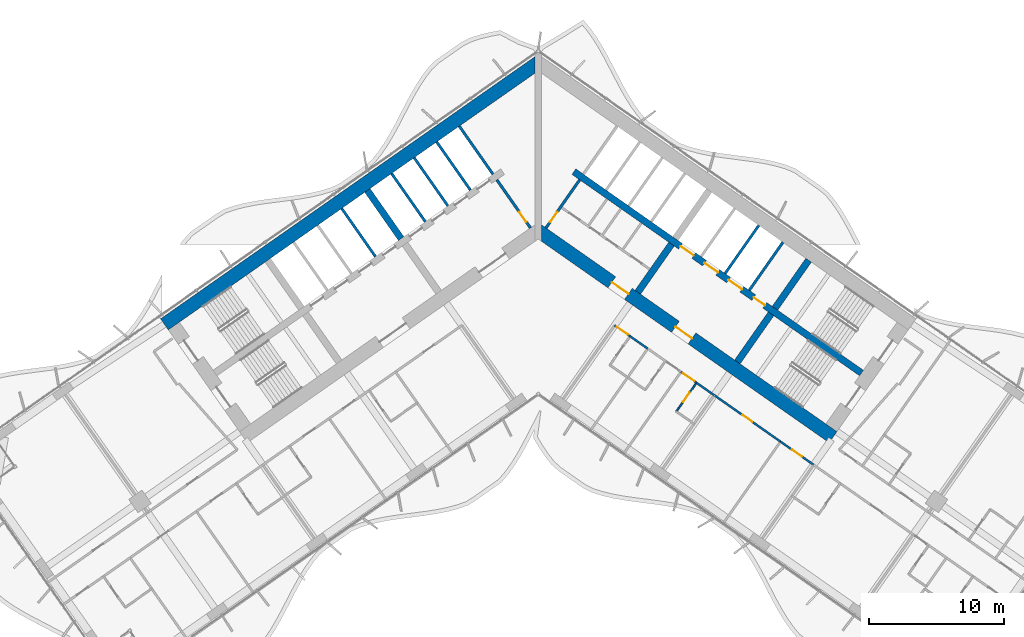
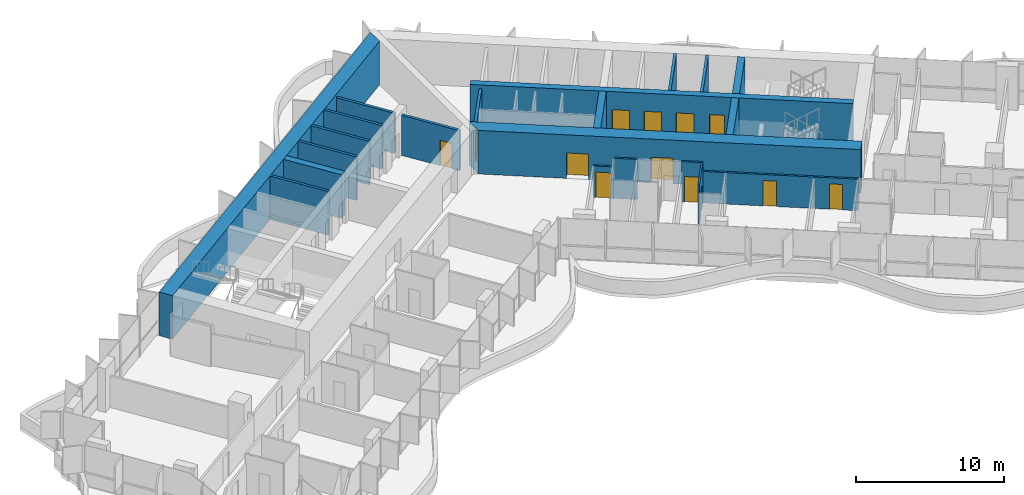
# One storey, part 14 of 23: 23 walls, 13 doors, 13 openings.
"""IFC4 building model written with IfcOpenShell, lengths in metres."""

from ifc_helpers import new_model, si_unit, direction, frame, frame_2d, origin, place, context, subcontext, project, spatial, polyline, rectangle, outline, extrude, material, layer, layer_set, type_object, element, fill, save


model = new_model("IFC4")

# Units and contexts
model_context = context("Model", 3, precision=1e-05, world=origin(), true_north=direction((0.0, 1.0)))
body_context = subcontext(model_context, "Body", "Model", "MODEL_VIEW")
ifc_project = project(units=[si_unit("LENGTHUNIT", "METRE"), si_unit("AREAUNIT", "SQUARE_METRE"), si_unit("VOLUMEUNIT", "CUBIC_METRE"), si_unit("PLANEANGLEUNIT", "RADIAN"), si_unit("MASSUNIT", "GRAM", prefix="KILO")], contexts=[model_context])

# Site, building, storey
site_placement = place(None, origin())
site = spatial("IfcSite", under=ifc_project, at=site_placement, CompositionType="ELEMENT")
building_placement = place(site_placement, origin())
building = spatial("IfcBuilding", under=site, at=building_placement, Name="Tel Ilan Convention Tower", CompositionType="ELEMENT")
storey_placement = place(building_placement, frame((0.0, 0.0, 119.300048828125)))
storey = spatial("IfcBuildingStorey", under=building, at=storey_placement, Name="L26", CompositionType="ELEMENT", Elevation=119.300048828125)

# Wall, opening, door
ifc_material_1 = material(Name="Concrete C30/37", Category="concrete")
ifc_layer_1 = layer(ifc_material_1, 0.199951171875)
ifc_layer_set_1 = layer_set([ifc_layer_1], Name="Core Service Room Wall 200 mm C30/37")
wall_type_1 = type_object("IfcWallType", Name="Core Service Room Wall 200 mm C30/37", PredefinedType="SOLIDWALL", material=ifc_layer_set_1)
wall_1_placement = place(storey_placement, frame((-0.573486328125, -0.401611328125, 0.0), z_axis=(0.0, 0.0, 1.0), x_axis=(-0.57356780395, 0.819158088694, 0.0)))
wall_1 = element("IfcWall", 1, at=wall_1_placement, inside=storey, type_object=wall_type_1, Name="L26 core wall apex-W", PredefinedType="SOLIDWALL", context=body_context, shape_type="SweptSolid", body=[
    extrude(rectangle(XDim=4.35009765625, YDim=0.199951171875, at=frame_2d((2.175048828125, 0.0))), origin(), (0.0, 0.0, 1.0), 3.320068359375),
])
opening_1_placement = place(wall_1_placement, frame((0.550048828125, 0.0, 0.0)))
opening_1 = element("IfcOpeningElement", 2, at=opening_1_placement, cuts=wall_1, Name="Opening CD2002", PredefinedType="OPENING", context=body_context, shape_type="SweptSolid", body=[
    extrude(rectangle(XDim=0.89990234375, YDim=2.10009765625, at=frame_2d((0.449951171875, 1.050048828125))), frame((0.0, 0.10986328125, 0.0), z_axis=(0.0, -1.0, 0.0), x_axis=(1.0, 0.0, 0.0)), (0.0, 0.0, 1.0), 0.219970703125),
])
ifc_material_2 = material(Name="Galvanised Steel Door Leaf", Category="steel")
door_type_1 = type_object("IfcDoorType", Name="Service Room Door 900 x 2100 FD60", OperationType="NOTDEFINED", PredefinedType="DOOR", material=ifc_material_2)
door_1_placement = place(opening_1_placement, origin())
door_1 = element("IfcDoor", 3, at=door_1_placement, inside=storey, type_object=door_type_1, Name="Riser Room door", OperationType="SINGLE_SWING_RIGHT", OverallHeight=2.10009765625, OverallWidth=0.89990234375, PredefinedType="DOOR", context=body_context, shape_type="SweptSolid", body=[
    extrude(rectangle(XDim=0.89990234375, YDim=2.10009765625, at=frame_2d((0.449951171875, 1.050048828125))), frame((0.0, 0.02490234375, 0.0), z_axis=(0.0, -1.0, 0.0), x_axis=(1.0, 0.0, 0.0)), (0.0, 0.0, 1.0), 0.050048828125),
])
fill(opening_1, door_1)

# Wall
wall_2_placement = place(storey_placement, frame((-3.355224609375, 3.5712890625, 0.0), z_axis=(0.0, 0.0, 1.0), x_axis=(-0.57356780395, 0.819158088694, 0.0)))
element("IfcWall", 4, at=wall_2_placement, inside=storey, type_object=wall_type_1, Name="L26 core wall apex-W-b", PredefinedType="SOLIDWALL", context=body_context, shape_type="SweptSolid", body=[
    extrude(rectangle(XDim=4.35009765625, YDim=0.199951171875, at=frame_2d((2.175048828125, 0.0))), origin(), (0.0, 0.0, 1.0), 3.320068359375),
])

# Wall, opening, door
wall_3_placement = place(storey_placement, frame((0.573486328125, -0.401611328125, 0.0), z_axis=(0.0, 0.0, 1.0), x_axis=(0.57356780395, 0.819158088694, 0.0)))
wall_3 = element("IfcWall", 5, at=wall_3_placement, inside=storey, type_object=wall_type_1, Name="L26 core wall apex-E", PredefinedType="SOLIDWALL", context=body_context, shape_type="SweptSolid", body=[
    extrude(rectangle(XDim=4.35009765625, YDim=0.199951171875, at=frame_2d((2.175048828125, 0.0))), origin(), (0.0, 0.0, 1.0), 3.320068359375),
])
opening_2_placement = place(wall_3_placement, frame((0.550048828125, 0.0, 0.0)))
opening_2 = element("IfcOpeningElement", 6, at=opening_2_placement, cuts=wall_3, Name="Opening CD2001", PredefinedType="OPENING", context=body_context, shape_type="SweptSolid", body=[
    extrude(rectangle(XDim=0.89990234375, YDim=2.10009765625, at=frame_2d((0.449951171875, 1.050048828125))), frame((0.0, 0.10986328125, 0.0), z_axis=(0.0, -1.0, 0.0), x_axis=(1.0, 0.0, 0.0)), (0.0, 0.0, 1.0), 0.219970703125),
])
door_2_placement = place(opening_2_placement, origin())
door_2 = element("IfcDoor", 7, at=door_2_placement, inside=storey, type_object=door_type_1, Name="Electrical Room door", OperationType="SINGLE_SWING_RIGHT", OverallHeight=2.10009765625, OverallWidth=0.89990234375, PredefinedType="DOOR", context=body_context, shape_type="SweptSolid", body=[
    extrude(rectangle(XDim=0.89990234375, YDim=2.10009765625, at=frame_2d((0.449951171875, 1.050048828125))), frame((0.0, 0.02490234375, 0.0), z_axis=(0.0, -1.0, 0.0), x_axis=(1.0, 0.0, 0.0)), (0.0, 0.0, 1.0), 0.050048828125),
])
fill(opening_2, door_2)

# Wall
ifc_material_3 = material(Name="Concrete C60/75", Category="concrete")
ifc_layer_2 = layer(ifc_material_3, 1.0)
ifc_layer_set_2 = layer_set([ifc_layer_2], Name="Core Shear Wall 1000 mm C60/75")
wall_type_2 = type_object("IfcWallType", Name="Core Shear Wall 1000 mm C60/75", PredefinedType="SHEAR", material=ifc_layer_set_2)
wall_4_placement = place(storey_placement, frame((0.036865234375, 11.8671875, 0.0), z_axis=(0.0, 0.0, 1.0), x_axis=(-0.819155306259, -0.573571777746, 0.0)))
element("IfcWall", 8, at=wall_4_placement, inside=storey, type_object=wall_type_2, Name="L26 core wall W-back", PredefinedType="SHEAR", context=body_context, shape_type="SweptSolid", body=[
    extrude(outline(polyline([(33.8369140625, 0.5), (0.7001953125, 0.499755859375), (0.0, -0.5), (33.8369140625, -0.5), (33.8369140625, 0.5)])), origin(), (0.0, 0.0, 1.0), 3.599853515625),
])

# Wall, openings, doors
wall_5_placement = place(storey_placement, frame((-0.036865234375, -0.584716796875, 0.0), z_axis=(0.0, 0.0, 1.0), x_axis=(0.819157152511, -0.573569140985, 0.0)))
wall_5 = element("IfcWall", 9, at=wall_5_placement, inside=storey, type_object=wall_type_2, Name="L26 core wall E-front", PredefinedType="SHEAR", context=body_context, shape_type="SweptSolid", body=[
    extrude(outline(polyline([(26.69482421875, 0.499755859375), (0.0, 0.5), (0.7001953125, -0.499755859375), (26.69482421875, -0.500244140625), (26.69482421875, 0.499755859375)])), origin(), (0.0, 0.0, 1.0), 3.599853515625),
])
opening_3_placement = place(wall_5_placement, frame((6.69482421875, 0.0, 0.0)))
opening_3 = element("IfcOpeningElement", 10, at=opening_3_placement, cuts=wall_5, Name="Opening CD2003", PredefinedType="OPENING", context=body_context, shape_type="SweptSolid", body=[
    extrude(rectangle(XDim=1.5, YDim=2.10009765625, at=frame_2d((0.75, 1.050048828125))), frame((0.0, 0.510009765625, 0.0), z_axis=(0.0, -1.0, 0.0), x_axis=(1.0, 0.0, 0.0)), (0.0, 0.0, 1.0), 1.02001953125),
])
opening_4_placement = place(wall_5_placement, frame((12.44482421875, 0.0, 0.0)))
opening_4 = element("IfcOpeningElement", 11, at=opening_4_placement, cuts=wall_5, Name="Opening CD2004", PredefinedType="OPENING", context=body_context, shape_type="SweptSolid", body=[
    extrude(rectangle(XDim=1.5, YDim=2.10009765625, at=frame_2d((0.75, 1.050048828125))), frame((0.0, 0.510009765625, 0.0), z_axis=(0.0, -1.0, 0.0), x_axis=(1.0, 0.0, 0.0)), (0.0, 0.0, 1.0), 1.02001953125),
])
ifc_material_4 = material(Name="Glazed Aluminium Door Leaf", Category="aluminium")
door_type_2 = type_object("IfcDoorType", Name="Lobby Opening Door 1500 x 2100 FD60S", OperationType="NOTDEFINED", PredefinedType="DOOR", material=ifc_material_4)
door_3_placement = place(opening_4_placement, origin())
door_3 = element("IfcDoor", 12, at=door_3_placement, inside=storey, type_object=door_type_2, Name="Firefighting Lobby door", OperationType="DOUBLE_DOOR_SINGLE_SWING", OverallHeight=2.10009765625, OverallWidth=1.5, PredefinedType="DOOR", context=body_context, shape_type="SweptSolid", body=[
    extrude(rectangle(XDim=1.5, YDim=2.10009765625, at=frame_2d((0.75, 1.050048828125))), frame((0.0, 0.02490234375, 0.0), z_axis=(0.0, -1.0, 0.0), x_axis=(1.0, 0.0, 0.0)), (0.0, 0.0, 1.0), 0.050048828125),
])
fill(opening_4, door_3)
ifc_material_5 = material(Name="Laminated Timber Door Leaf", Category="wood")
door_type_3 = type_object("IfcDoorType", Name="Toilet Door 1500 x 2100 FD30S", OperationType="NOTDEFINED", PredefinedType="DOOR", material=ifc_material_5)
door_4_placement = place(opening_3_placement, origin())
door_4 = element("IfcDoor", 13, at=door_4_placement, inside=storey, type_object=door_type_3, Name="WC Lobby door", OperationType="SINGLE_SWING_RIGHT", OverallHeight=2.10009765625, OverallWidth=1.5, PredefinedType="DOOR", context=body_context, shape_type="SweptSolid", body=[
    extrude(rectangle(XDim=1.5, YDim=2.10009765625, at=frame_2d((0.75, 1.050048828125))), frame((0.0, 0.02490234375, 0.0), z_axis=(0.0, -1.0, 0.0), x_axis=(1.0, 0.0, 0.0)), (0.0, 0.0, 1.0), 0.050048828125),
])
fill(opening_3, door_4)

# Walls
ifc_material_6 = material(Name="Concrete C60/75", Category="concrete")
ifc_layer_3 = layer(ifc_material_6, 0.5)
ifc_layer_set_3 = layer_set([ifc_layer_3], Name="Core Shear Wall 500 mm C60/75")
wall_type_3 = type_object("IfcWallType", Name="Core Shear Wall 500 mm C60/75", PredefinedType="SHEAR", material=ifc_layer_set_3)
wall_6_placement = place(storey_placement, frame((-10.154296875, -1.189208984375, 0.0), z_axis=(0.0, 0.0, 1.0), x_axis=(-0.573594173421, 0.819139624372, 0.0)))
element("IfcWall", 14, at=wall_6_placement, inside=storey, type_object=wall_type_3, Name="L26 core wall W-cross1-2", PredefinedType="SHEAR", context=body_context, shape_type="SweptSolid", body=[
    extrude(outline(polyline([(4.349853515625, -0.25), (4.349853515625, 0.25), (-0.000244140625, 0.25), (-0.000244140625, -0.25), (4.349853515625, -0.25)])), origin(), (0.0, 0.0, 1.0), 3.599853515625),
])
wall_7_placement = place(storey_placement, frame((7.372314453125, -5.162109375, 0.0), z_axis=(0.0, 0.0, 1.0), x_axis=(0.573594173421, 0.819139624372, 0.0)))
element("IfcWall", 15, at=wall_7_placement, inside=storey, type_object=wall_type_3, Name="L26 core wall E-cross1-1", PredefinedType="SHEAR", context=body_context, shape_type="SweptSolid", body=[
    extrude(outline(polyline([(0.0, 0.25), (0.0, -0.250244140625), (4.349853515625, -0.25), (4.349853515625, 0.25), (0.0, 0.25)])), origin(), (0.0, 0.0, 1.0), 3.599853515625),
])
wall_8_placement = place(storey_placement, frame((14.74462890625, -10.324462890625, 0.0), z_axis=(0.0, 0.0, 1.0), x_axis=(0.57356780395, 0.819158088694, 0.0)))
element("IfcWall", 16, at=wall_8_placement, inside=storey, type_object=wall_type_3, Name="L26 core wall E-cross2-1", PredefinedType="SHEAR", context=body_context, shape_type="SweptSolid", body=[
    extrude(outline(polyline([(0.0, 0.25), (0.0, -0.25), (4.35009765625, -0.250244140625), (4.35009765625, 0.25), (0.0, 0.25)])), origin(), (0.0, 0.0, 1.0), 3.599853515625),
])
wall_9_placement = place(storey_placement, frame((17.526611328125, -6.3515625, 0.0), z_axis=(0.0, 0.0, 1.0), x_axis=(0.573530143085, 0.819184457233, 0.0)))
element("IfcWall", 17, at=wall_9_placement, inside=storey, type_object=wall_type_3, Name="L26 core wall E-cross2-2", PredefinedType="SHEAR", context=body_context, shape_type="SweptSolid", body=[
    extrude(outline(polyline([(4.35009765625, -0.250244140625), (4.35009765625, 0.249755859375), (0.0, 0.25), (0.0, -0.25), (4.35009765625, -0.250244140625)])), origin(), (0.0, 0.0, 1.0), 3.599853515625),
])

# Wall, openings, doors
wall_10_placement = place(storey_placement, frame((2.638427734375, 3.76806640625, 0.0), z_axis=(0.0, 0.0, 1.0), x_axis=(0.819148977158, -0.573580816643, 0.0)))
wall_10 = element("IfcWall", 18, at=wall_10_placement, inside=storey, type_object=wall_type_3, Name="L26 core wall E-spine", PredefinedType="SHEAR", context=body_context, shape_type="SweptSolid", body=[
    extrude(outline(polyline([(0.0, 0.25), (0.0, -0.25), (26.0, -0.249755859375), (26.0, 0.250244140625), (0.0, 0.25)])), origin(), (0.0, 0.0, 1.0), 3.599853515625),
])
opening_5_placement = place(wall_10_placement, frame((9.637451171875, 0.0, 0.0)))
opening_5 = element("IfcOpeningElement", 19, at=opening_5_placement, cuts=wall_10, Name="Opening LD2001", PredefinedType="OPENING", context=body_context, shape_type="SweptSolid", body=[
    extrude(rectangle(XDim=1.199951171875, YDim=2.10009765625, at=frame_2d((0.60009765625, 1.050048828125))), frame((0.0, 0.260009765625, 0.0), z_axis=(0.0, -1.0, 0.0), x_axis=(1.0, 0.0, 0.0)), (0.0, 0.0, 1.0), 0.52001953125),
])
opening_6_placement = place(wall_10_placement, frame((11.8125, 0.0, 0.0)))
opening_6 = element("IfcOpeningElement", 20, at=opening_6_placement, cuts=wall_10, Name="Opening LD2002", PredefinedType="OPENING", context=body_context, shape_type="SweptSolid", body=[
    extrude(rectangle(XDim=1.199951171875, YDim=2.10009765625, at=frame_2d((0.60009765625, 1.050048828125))), frame((0.0, 0.260009765625, 0.0), z_axis=(0.0, -1.0, 0.0), x_axis=(1.0, 0.0, 0.0)), (0.0, 0.0, 1.0), 0.52001953125),
])
opening_7_placement = place(wall_10_placement, frame((13.987548828125, 0.0, 0.0)))
opening_7 = element("IfcOpeningElement", 21, at=opening_7_placement, cuts=wall_10, Name="Opening LD2003", PredefinedType="OPENING", context=body_context, shape_type="SweptSolid", body=[
    extrude(rectangle(XDim=1.199951171875, YDim=2.10009765625, at=frame_2d((0.60009765625, 1.050048828125))), frame((0.0, 0.260009765625, 0.0), z_axis=(0.0, -1.0, 0.0), x_axis=(1.0, 0.0, 0.0)), (0.0, 0.0, 1.0), 0.52001953125),
])
opening_8_placement = place(wall_10_placement, frame((16.262451171875, 0.0, 0.0)))
opening_8 = element("IfcOpeningElement", 22, at=opening_8_placement, cuts=wall_10, Name="Opening CD2007", PredefinedType="OPENING", context=body_context, shape_type="SweptSolid", body=[
    extrude(rectangle(XDim=1.0, YDim=2.10009765625, at=frame_2d((0.5, 1.050048828125))), frame((0.0, 0.260009765625, 0.0), z_axis=(0.0, -1.0, 0.0), x_axis=(1.0, 0.0, 0.0)), (0.0, 0.0, 1.0), 0.52001953125),
])
ifc_material_7 = material(Name="Stainless Steel Sliding Door Leaf", Category="steel")
door_type_4 = type_object("IfcDoorType", Name="Lift Landing Door 1200 x 2100 FD120", OperationType="NOTDEFINED", PredefinedType="DOOR", material=ifc_material_7)
door_5_placement = place(opening_5_placement, origin())
door_5 = element("IfcDoor", 23, at=door_5_placement, inside=storey, type_object=door_type_4, Name="Lift FL1 landing door", OperationType="SLIDING_TO_LEFT", OverallHeight=2.10009765625, OverallWidth=1.199951171875, PredefinedType="DOOR", context=body_context, shape_type="SweptSolid", body=[
    extrude(rectangle(XDim=1.199951171875, YDim=2.10009765625, at=frame_2d((0.60009765625, 1.050048828125))), frame((0.0, 0.02490234375, 0.0), z_axis=(0.0, -1.0, 0.0), x_axis=(1.0, 0.0, 0.0)), (0.0, 0.0, 1.0), 0.050048828125),
])
fill(opening_5, door_5)
door_6_placement = place(opening_6_placement, origin())
door_6 = element("IfcDoor", 24, at=door_6_placement, inside=storey, type_object=door_type_4, Name="Lift FL2 landing door", OperationType="SLIDING_TO_RIGHT", OverallHeight=2.10009765625, OverallWidth=1.199951171875, PredefinedType="DOOR", context=body_context, shape_type="SweptSolid", body=[
    extrude(rectangle(XDim=1.199951171875, YDim=2.10009765625, at=frame_2d((0.60009765625, 1.050048828125))), frame((0.0, 0.02490234375, 0.0), z_axis=(0.0, -1.0, 0.0), x_axis=(1.0, 0.0, 0.0)), (0.0, 0.0, 1.0), 0.050048828125),
])
fill(opening_6, door_6)
door_7_placement = place(opening_7_placement, origin())
door_7 = element("IfcDoor", 25, at=door_7_placement, inside=storey, type_object=door_type_4, Name="Lift FL3 landing door", OperationType="SLIDING_TO_LEFT", OverallHeight=2.10009765625, OverallWidth=1.199951171875, PredefinedType="DOOR", context=body_context, shape_type="SweptSolid", body=[
    extrude(rectangle(XDim=1.199951171875, YDim=2.10009765625, at=frame_2d((0.60009765625, 1.050048828125))), frame((0.0, 0.02490234375, 0.0), z_axis=(0.0, -1.0, 0.0), x_axis=(1.0, 0.0, 0.0)), (0.0, 0.0, 1.0), 0.050048828125),
])
fill(opening_7, door_7)
ifc_material_8 = material(Name="Galvanised Steel Door Leaf", Category="steel")
door_type_5 = type_object("IfcDoorType", Name="Service Room Door 1000 x 2100 FD60", OperationType="NOTDEFINED", PredefinedType="DOOR", material=ifc_material_8)
door_8_placement = place(opening_8_placement, origin())
door_8 = element("IfcDoor", 26, at=door_8_placement, inside=storey, type_object=door_type_5, Name="Plant Room door", OperationType="SINGLE_SWING_RIGHT", OverallHeight=2.10009765625, OverallWidth=1.0, PredefinedType="DOOR", context=body_context, shape_type="SweptSolid", body=[
    extrude(rectangle(XDim=1.0, YDim=2.10009765625, at=frame_2d((0.5, 1.050048828125))), frame((0.0, 0.02490234375, 0.0), z_axis=(0.0, -1.0, 0.0), x_axis=(1.0, 0.0, 0.0)), (0.0, 0.0, 1.0), 0.050048828125),
])
fill(opening_8, door_8)

# Wall, opening, door
ifc_material_9 = material(Name="Plasterboard on Steel Studs", Category="steel")
ifc_layer_4 = layer(ifc_material_9, 0.14990234375)
ifc_layer_set_4 = layer_set([ifc_layer_4], Name="Fire-rated Partition 150 EI 60")
wall_type_4 = type_object("IfcWallType", Name="Fire-rated Partition 150 EI 60", PredefinedType="PARTITIONING", material=ifc_layer_set_4)
wall_11_placement = place(storey_placement, frame((6.79931640625, -8.423095703125, 0.0), z_axis=(0.0, 0.0, 1.0), x_axis=(-0.819207359301, 0.573497430219, 0.0)))
wall_11 = element("IfcWall", 27, at=wall_11_placement, inside=storey, type_object=wall_type_4, Name="Partition 007", PredefinedType="PARTITIONING", context=body_context, shape_type="SweptSolid", body=[
    extrude(rectangle(XDim=1.40087890625, YDim=0.14990234375, at=frame_2d((0.700439453125, 0.0))), origin(), (0.0, 0.0, 1.0), 2.599853515625),
])
opening_9_placement = place(wall_11_placement, frame((0.200927734375, 0.0, 0.0)))
opening_9 = element("IfcOpeningElement", 28, at=opening_9_placement, cuts=wall_11, Name="Opening L24-014", PredefinedType="OPENING", context=body_context, shape_type="SweptSolid", body=[
    extrude(rectangle(XDim=1.0, YDim=2.10009765625, at=frame_2d((0.5, 1.050048828125))), frame((0.0, 0.0849609375, 0.0), z_axis=(0.0, -1.0, 0.0), x_axis=(1.0, 0.0, 0.0)), (0.0, 0.0, 1.0), 0.169921875),
])
ifc_material_10 = material(Name="Timber Door Leaf in Steel Frame", Category="steel")
door_type_6 = type_object("IfcDoorType", Name="Hotel Room Entrance Fire Door 1000x2100", OperationType="NOTDEFINED", PredefinedType="DOOR", material=ifc_material_10)
door_9_placement = place(opening_9_placement, origin())
door_9 = element("IfcDoor", 29, at=door_9_placement, inside=storey, type_object=door_type_6, Name="Door L24-014", OperationType="SINGLE_SWING_LEFT", OverallHeight=2.10009765625, OverallWidth=1.0, PredefinedType="DOOR", context=body_context, shape_type="SweptSolid", body=[
    extrude(rectangle(XDim=1.0, YDim=2.10009765625, at=frame_2d((0.5, 1.050048828125))), frame((0.0, 0.02490234375, 0.0), z_axis=(0.0, -1.0, 0.0), x_axis=(1.0, 0.0, 0.0)), (0.0, 0.0, 1.0), 0.050048828125),
])
fill(opening_9, door_9)

# Wall
wall_12_placement = place(storey_placement, frame((8.110595703125, -9.341552734375, 0.0), z_axis=(0.0, 0.0, 1.0), x_axis=(-0.8190674132, 0.573697283098, 0.0)))
element("IfcWall", 30, at=wall_12_placement, inside=storey, type_object=wall_type_4, Name="Partition 008", PredefinedType="PARTITIONING", context=body_context, shape_type="SweptSolid", body=[
    extrude(rectangle(XDim=1.60400390625, YDim=0.14990234375, at=frame_2d((0.802001953125, 0.0))), origin(), (0.0, 0.0, 1.0), 3.320068359375),
])

# Wall, opening, door
wall_13_placement = place(storey_placement, frame((11.714111328125, -11.86474609375, 0.0), z_axis=(0.0, 0.0, 1.0), x_axis=(-0.81914197737, 0.573590813132, 0.0)))
wall_13 = element("IfcWall", 31, at=wall_13_placement, inside=storey, type_object=wall_type_4, Name="Partition 011", PredefinedType="PARTITIONING", context=body_context, shape_type="SweptSolid", body=[
    extrude(rectangle(XDim=1.40283203125, YDim=0.14990234375, at=frame_2d((0.701416015625, 0.0))), origin(), (0.0, 0.0, 1.0), 3.320068359375),
])
opening_10_placement = place(wall_13_placement, frame((0.200927734375, 0.0, 0.0)))
opening_10 = element("IfcOpeningElement", 32, at=opening_10_placement, cuts=wall_13, Name="Opening L24-018", PredefinedType="OPENING", context=body_context, shape_type="SweptSolid", body=[
    extrude(rectangle(XDim=1.0, YDim=2.10009765625, at=frame_2d((0.5, 1.050048828125))), frame((0.0, 0.0849609375, 0.0), z_axis=(0.0, -1.0, 0.0), x_axis=(1.0, 0.0, 0.0)), (0.0, 0.0, 1.0), 0.169921875),
])
door_10_placement = place(opening_10_placement, origin())
door_10 = element("IfcDoor", 33, at=door_10_placement, inside=storey, type_object=door_type_6, Name="Door L24-018", OperationType="SINGLE_SWING_LEFT", OverallHeight=2.10009765625, OverallWidth=1.0, PredefinedType="DOOR", context=body_context, shape_type="SweptSolid", body=[
    extrude(rectangle(XDim=1.0, YDim=2.10009765625, at=frame_2d((0.5, 1.050048828125))), frame((0.0, 0.02490234375, 0.0), z_axis=(0.0, -1.0, 0.0), x_axis=(1.0, 0.0, 0.0)), (0.0, 0.0, 1.0), 0.050048828125),
])
fill(opening_10, door_10)

# Wall
wall_14_placement = place(storey_placement, frame((13.025634765625, -12.782958984375, 0.0), z_axis=(0.0, 0.0, 1.0), x_axis=(-0.819189013667, 0.573523634986, 0.0)))
element("IfcWall", 34, at=wall_14_placement, inside=storey, type_object=wall_type_4, Name="Partition 012", PredefinedType="PARTITIONING", context=body_context, shape_type="SweptSolid", body=[
    extrude(rectangle(XDim=1.60400390625, YDim=0.14990234375, at=frame_2d((0.802001953125, 0.0))), origin(), (0.0, 0.0, 1.0), 2.599853515625),
])

# Wall, opening, door
wall_15_placement = place(storey_placement, frame((17.940673828125, -16.224365234375, 0.0), z_axis=(0.0, 0.0, 1.0), x_axis=(-0.819165052243, 0.573557858619, 0.0)))
wall_15 = element("IfcWall", 35, at=wall_15_placement, inside=storey, type_object=wall_type_4, Name="Partition 013", PredefinedType="PARTITIONING", context=body_context, shape_type="SweptSolid", body=[
    extrude(rectangle(XDim=6.00390625, YDim=0.14990234375, at=frame_2d((3.001953125, 0.0))), origin(), (0.0, 0.0, 1.0), 2.599853515625),
])
opening_11_placement = place(wall_15_placement, frame((2.552001953125, 0.0, 0.0)))
opening_11 = element("IfcOpeningElement", 36, at=opening_11_placement, cuts=wall_15, Name="Opening L24-019", PredefinedType="OPENING", context=body_context, shape_type="SweptSolid", body=[
    extrude(rectangle(XDim=0.89990234375, YDim=2.10009765625, at=frame_2d((0.449951171875, 1.050048828125))), frame((0.0, 0.0849609375, 0.0), z_axis=(0.0, -1.0, 0.0), x_axis=(1.0, 0.0, 0.0)), (0.0, 0.0, 1.0), 0.169921875),
])
ifc_material_11 = material(Name="Timber Door Leaf in Steel Frame", Category="steel")
door_type_7 = type_object("IfcDoorType", Name="Room Fire Door 900x2100", OperationType="NOTDEFINED", PredefinedType="DOOR", material=ifc_material_11)
door_11_placement = place(opening_11_placement, origin())
door_11 = element("IfcDoor", 37, at=door_11_placement, inside=storey, type_object=door_type_7, Name="Door L24-019", OperationType="SINGLE_SWING_LEFT", OverallHeight=2.10009765625, OverallWidth=0.89990234375, PredefinedType="DOOR", context=body_context, shape_type="SweptSolid", body=[
    extrude(rectangle(XDim=0.89990234375, YDim=2.10009765625, at=frame_2d((0.449951171875, 1.050048828125))), frame((0.0, 0.02490234375, 0.0), z_axis=(0.0, -1.0, 0.0), x_axis=(1.0, 0.0, 0.0)), (0.0, 0.0, 1.0), 0.050048828125),
])
fill(opening_11, door_11)

wall_16_placement = place(storey_placement, frame((20.39794921875, -17.9453125, 0.0), z_axis=(0.0, 0.0, 1.0), x_axis=(-0.819128818764, 0.573609604409, 0.0)))
wall_16 = element("IfcWall", 38, at=wall_16_placement, inside=storey, type_object=wall_type_4, Name="Partition 014", PredefinedType="PARTITIONING", context=body_context, shape_type="SweptSolid", body=[
    extrude(rectangle(XDim=3.004150390625, YDim=0.14990234375, at=frame_2d((1.501953125, 0.0))), origin(), (0.0, 0.0, 1.0), 2.599853515625),
])
opening_12_placement = place(wall_16_placement, frame((1.052001953125, 0.0, 0.0)))
opening_12 = element("IfcOpeningElement", 39, at=opening_12_placement, cuts=wall_16, Name="Opening L24-020", PredefinedType="OPENING", context=body_context, shape_type="SweptSolid", body=[
    extrude(rectangle(XDim=0.89990234375, YDim=2.10009765625, at=frame_2d((0.449951171875, 1.050048828125))), frame((0.0, 0.0849609375, 0.0), z_axis=(0.0, -1.0, 0.0), x_axis=(1.0, 0.0, 0.0)), (0.0, 0.0, 1.0), 0.169921875),
])
door_12_placement = place(opening_12_placement, origin())
door_12 = element("IfcDoor", 40, at=door_12_placement, inside=storey, type_object=door_type_7, Name="Door L24-020", OperationType="SINGLE_SWING_LEFT", OverallHeight=2.10009765625, OverallWidth=0.89990234375, PredefinedType="DOOR", context=body_context, shape_type="SweptSolid", body=[
    extrude(rectangle(XDim=0.89990234375, YDim=2.10009765625, at=frame_2d((0.449951171875, 1.050048828125))), frame((0.0, 0.02490234375, 0.0), z_axis=(0.0, -1.0, 0.0), x_axis=(1.0, 0.0, 0.0)), (0.0, 0.0, 1.0), 0.050048828125),
])
fill(opening_12, door_12)

# Walls
ifc_material_12 = material(Name="Concrete C30/37", Category="concrete")
ifc_layer_5 = layer(ifc_material_12, 0.199951171875)
ifc_layer_set_5 = layer_set([ifc_layer_5], Name="Lift Shaft Wall 200 mm C30/37")
wall_type_5 = type_object("IfcWallType", Name="Lift Shaft Wall 200 mm C30/37", PredefinedType="SOLIDWALL", material=ifc_layer_set_5)
wall_17_placement = place(storey_placement, frame((-5.0244140625, 2.402587890625, 0.0), z_axis=(0.0, 0.0, 1.0), x_axis=(-0.573530143085, 0.819184457233, 0.0)))
element("IfcWall", 41, at=wall_17_placement, inside=storey, type_object=wall_type_5, Name="L26 core wall bank-W1-p0", PredefinedType="SOLIDWALL", context=body_context, shape_type="SweptSolid", body=[
    extrude(rectangle(XDim=4.35009765625, YDim=0.199951171875, at=frame_2d((2.175048828125, 0.0))), origin(), (0.0, 0.0, 1.0), 3.599853515625),
])
for number, where, z_axis, x_axis, name in (
    (42, (-6.693359375, 1.234130859375, 0.0), (0.0, 0.0, 1.0), (-0.573594173421, 0.819139624372, 0.0), "L26 core wall bank-W1-p1"),
    (43, (-8.3623046875, 0.0654296875, 0.0), (0.0, 0.0, 1.0), (-0.573594173421, 0.819139624372, 0.0), "L26 core wall bank-W1-p2"),
    (44, (-12.05859375, -2.52294921875, 0.0), (0.0, 0.0, 1.0), (-0.573594173421, 0.819139624372, 0.0), "L26 core wall bank-W2-p0"),
):
    element("IfcWall", number, at=place(storey_placement, frame(where, z_axis=z_axis, x_axis=x_axis)), inside=storey, type_object=wall_type_5, Name=name, PredefinedType="SOLIDWALL", context=body_context, shape_type="SweptSolid", body=[
        extrude(rectangle(XDim=4.349853515625, YDim=0.199951171875, at=frame_2d((2.1748046875, 0.0))), origin(), (0.0, 0.0, 1.0), 3.599853515625),
    ])
wall_18_placement = place(storey_placement, frame((13.84033203125, -3.7705078125, 0.0), z_axis=(0.0, 0.0, 1.0), x_axis=(0.57356780395, 0.819158088694, 0.0)))
element("IfcWall", 45, at=wall_18_placement, inside=storey, type_object=wall_type_5, Name="L26 core wall bank-E2-p1", PredefinedType="SOLIDWALL", context=body_context, shape_type="SweptSolid", body=[
    extrude(rectangle(XDim=4.35009765625, YDim=0.199951171875, at=frame_2d((2.175048828125, 0.0))), origin(), (0.0, 0.0, 1.0), 3.599853515625),
])
wall_19_placement = place(storey_placement, frame((15.6220703125, -5.017822265625, 0.0), z_axis=(0.0, 0.0, 1.0), x_axis=(0.573594173421, 0.819139624372, 0.0)))
element("IfcWall", 46, at=wall_19_placement, inside=storey, type_object=wall_type_5, Name="L26 core wall bank-E2-p2", PredefinedType="SOLIDWALL", context=body_context, shape_type="SweptSolid", body=[
    extrude(rectangle(XDim=4.349853515625, YDim=0.199951171875, at=frame_2d((2.1748046875, 0.0))), origin(), (0.0, 0.0, 1.0), 3.599853515625),
])

# Wall, opening, door
ifc_material_13 = material(Name="Plasterboard on Steel Studs", Category="steel")
ifc_layer_6 = layer(ifc_material_13, 0.1201171875)
ifc_layer_set_6 = layer_set([ifc_layer_6], Name="Moisture-resistant Partition 120")
wall_type_6 = type_object("IfcWallType", Name="Moisture-resistant Partition 120", PredefinedType="PARTITIONING", material=ifc_layer_set_6)
wall_20_placement = place(storey_placement, frame((11.71240234375, -11.863525390625, 0.0), z_axis=(0.0, 0.0, 1.0), x_axis=(-0.573537965655, -0.819178980414, 0.0)))
wall_20 = element("IfcWall", 47, at=wall_20_placement, inside=storey, type_object=wall_type_6, Name="Partition 054", PredefinedType="PARTITIONING", context=body_context, shape_type="SweptSolid", body=[
    extrude(rectangle(XDim=2.60009765625, YDim=0.1201171875, at=frame_2d((1.300048828125, 0.0))), origin(), (0.0, 0.0, 1.0), 3.320068359375),
])
opening_13_placement = place(wall_20_placement, frame((0.875, 0.0, 0.0)))
opening_13 = element("IfcOpeningElement", 48, at=opening_13_placement, cuts=wall_20, Name="Opening L24-017", PredefinedType="OPENING", context=body_context, shape_type="SweptSolid", body=[
    extrude(rectangle(XDim=0.85009765625, YDim=2.050048828125, at=frame_2d((0.425048828125, 1.02490234375))), frame((0.0, 0.070068359375, 0.0), z_axis=(0.0, -1.0, 0.0), x_axis=(1.0, 0.0, 0.0)), (0.0, 0.0, 1.0), 0.14013671875),
])
ifc_material_14 = material(Name="Timber Door Leaf in Steel Frame", Category="steel")
door_type_8 = type_object("IfcDoorType", Name="Bathroom Timber Door 850x2050", OperationType="NOTDEFINED", PredefinedType="DOOR", material=ifc_material_14)
door_13_placement = place(opening_13_placement, origin())
door_13 = element("IfcDoor", 49, at=door_13_placement, inside=storey, type_object=door_type_8, Name="Door L24-017", OperationType="SINGLE_SWING_RIGHT", OverallHeight=2.050048828125, OverallWidth=0.85009765625, PredefinedType="DOOR", context=body_context, shape_type="SweptSolid", body=[
    extrude(rectangle(XDim=0.85009765625, YDim=2.050048828125, at=frame_2d((0.425048828125, 1.02490234375))), frame((0.0, 0.02490234375, 0.0), z_axis=(0.0, -1.0, 0.0), x_axis=(1.0, 0.0, 0.0)), (0.0, 0.0, 1.0), 0.050048828125),
])
fill(opening_13, door_13)

save(model, "model.ifc")
